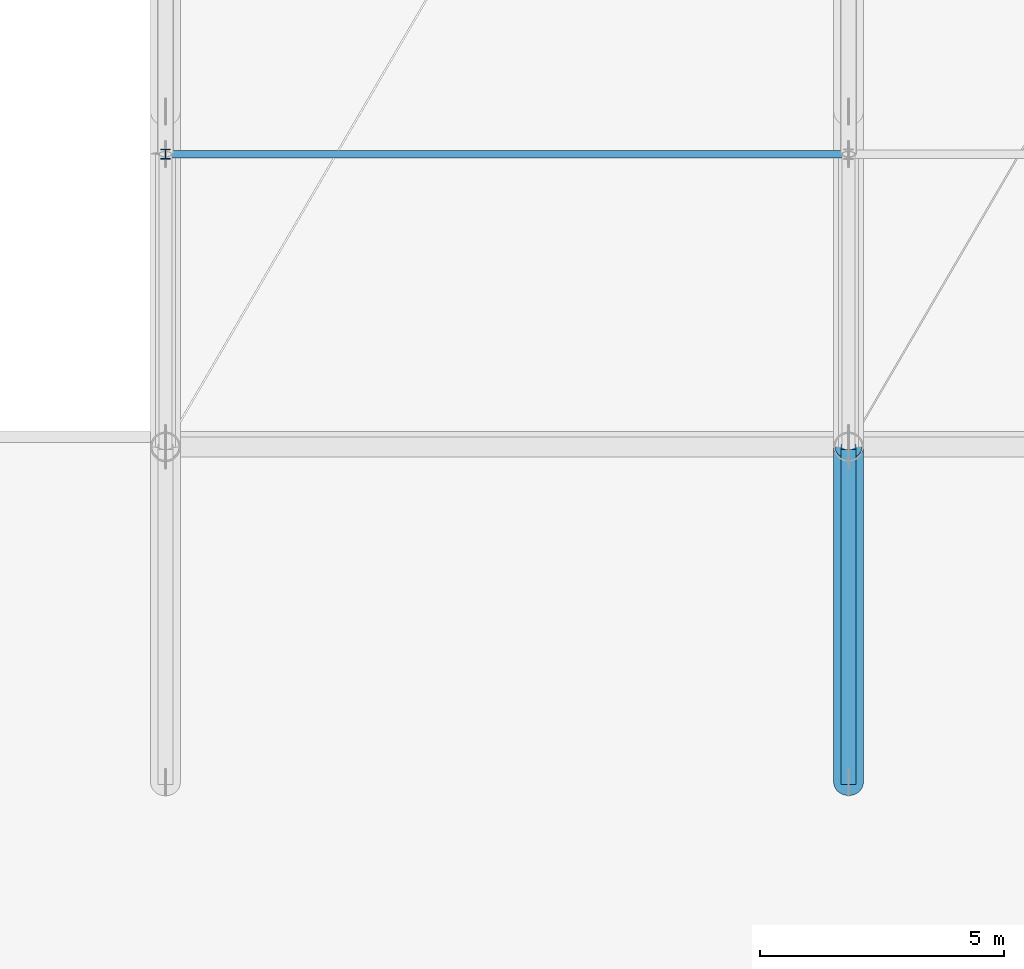
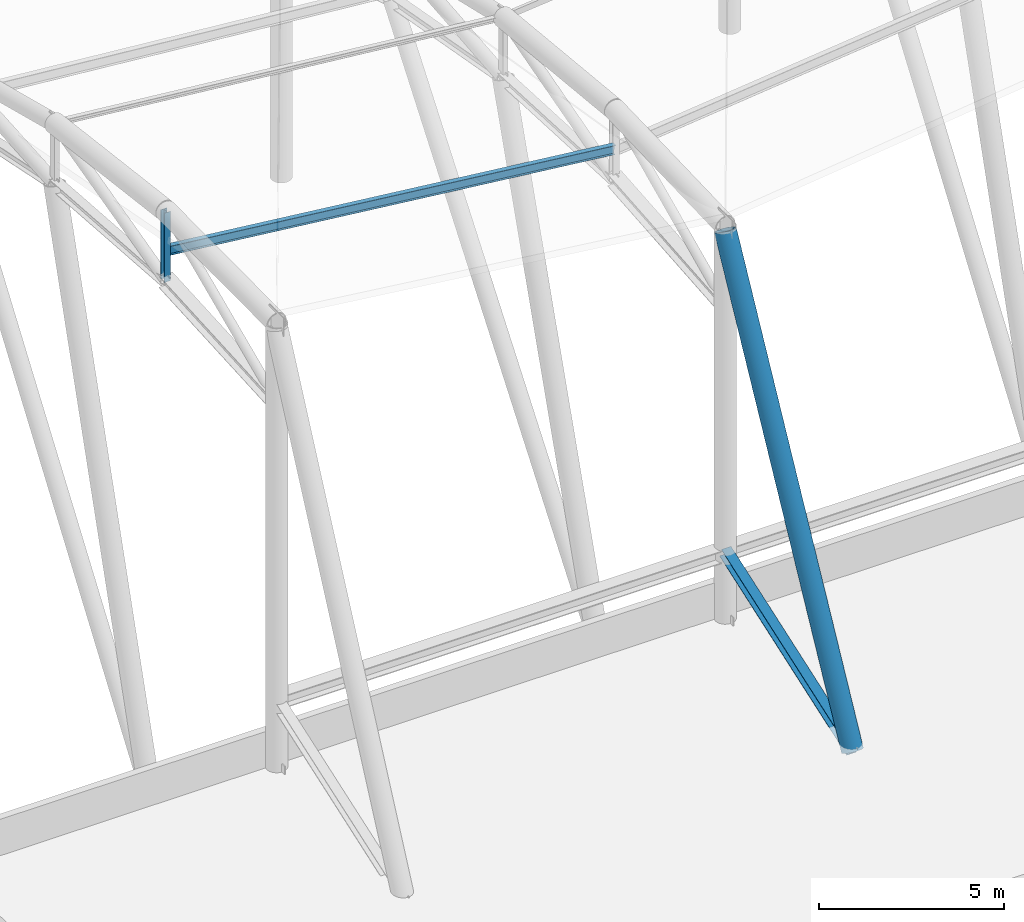
# One storey, part 17 of 90: 4 members.
"""IFC4 building model written with IfcOpenShell, lengths in metres."""

from ifc_helpers import new_model, si_unit, direction, frame, origin, origin_2d, place, context, subcontext, project, spatial, hollow_circle, i_section, extrude, material, material_profile, profile_set, type_object, element, save


model = new_model("IFC4")

# Units and contexts
model_context = context("Model", 3, precision=1e-05, world=origin(), true_north=direction((0.0, 1.0)))
body_context = subcontext(model_context, "Body", "Model", "MODEL_VIEW")
ifc_project = project(units=[si_unit("LENGTHUNIT", "METRE"), si_unit("AREAUNIT", "SQUARE_METRE"), si_unit("VOLUMEUNIT", "CUBIC_METRE"), si_unit("PLANEANGLEUNIT", "RADIAN"), si_unit("MASSUNIT", "GRAM", prefix="KILO")], contexts=[model_context])

# Site, building, storey
site_placement = place(None, origin())
site = spatial("IfcSite", under=ifc_project, at=site_placement, CompositionType="ELEMENT")
building_placement = place(site_placement, origin())
building = spatial("IfcBuilding", under=site, at=building_placement, Name="Linyun Crest Stadium", CompositionType="ELEMENT")
storey_placement = place(building_placement, frame((0.0, 0.0, 21.0)))
storey = spatial("IfcBuildingStorey", under=building, at=storey_placement, Name="L05", CompositionType="ELEMENT", Elevation=21.0)

# Members
ifc_material_1 = material(Name="Steel Q355B", Category="steel")
ifc_material_profile_1 = material_profile(ifc_material_1, i_section(OverallWidth=0.14990234375, OverallDepth=0.300048828125, WebThickness=0.007080078125, FlangeThickness=0.009033203125, at=origin_2d()), Name="HN 300x150")
ifc_profile_set_1 = profile_set([ifc_material_profile_1], Name="Steel Q355B")
member_type_1 = type_object("IfcMemberType", Name="PR01", PredefinedType="PURLIN", material=ifc_profile_set_1)
member_1_placement = place(storey_placement, frame((-28.0, -67.5, 13.389892578125), z_axis=(0.993928464313, 0.0, -0.110028213788), x_axis=(0.0, 1.0, 0.0)))
element("IfcMember", 1, at=member_1_placement, inside=storey, type_object=member_type_1, Name="Roof canopy purlin PR01 V4 567", PredefinedType="PURLIN", context=body_context, shape_type="SweptSolid", body=[
    extrude(i_section(OverallWidth=0.14990234375, OverallDepth=0.300048828125, WebThickness=0.007080078125, FlangeThickness=0.009033203125, at=origin_2d()), origin(), (0.0, 0.0, 1.0), 14.08544921875),
])
ifc_material_2 = material(Name="Steel Q420C", Category="steel")
ifc_material_profile_2 = material_profile(ifc_material_2, hollow_circle(Radius=0.304931640625, WallThickness=0.030029296875, at=origin_2d()), Name="CHS 610x30")
ifc_profile_set_2 = profile_set([ifc_material_profile_2], Name="Steel Q420C")
member_type_2 = type_object("IfcMemberType", Name="TC02", PredefinedType="CHORD", material=ifc_profile_set_2)
member_2_placement = place(storey_placement, frame((-14.0, -73.5, 12.800048828125), z_axis=(0.0, -0.467353097939, -0.88407074482), x_axis=(1.0, 0.0, 0.0)))
element("IfcMember", 2, at=member_2_placement, inside=storey, type_object=member_type_2, Name="Roof truss back-stay chord TC02 V4 491", PredefinedType="CHORD", context=body_context, shape_type="SweptSolid", body=[
    extrude(hollow_circle(Radius=0.304931640625, WallThickness=0.030029296875, at=origin_2d()), origin(), (0.0, 0.0, 1.0), 14.71044921875),
])
ifc_material_3 = material(Name="Steel Q355C", Category="steel")
ifc_material_profile_3 = material_profile(ifc_material_3, i_section(OverallWidth=0.300048828125, OverallDepth=0.300048828125, WebThickness=0.010009765625, FlangeThickness=0.014892578125, at=origin_2d()), Name="HW 300x300")
ifc_profile_set_3 = profile_set([ifc_material_profile_3], Name="Steel Q355C")
member_type_3 = type_object("IfcMemberType", Name="TC03", PredefinedType="CHORD", material=ifc_profile_set_3)
member_3_placement = place(storey_placement, frame((-14.0, -73.5, 2.195068359375), z_axis=(0.0, -0.944119407073, -0.329603618286), x_axis=(1.0, 0.0, 0.0)))
element("IfcMember", 3, at=member_3_placement, inside=storey, type_object=member_type_3, Name="Roof truss lower back-span chord TC03 V4 492", PredefinedType="CHORD", context=body_context, shape_type="SweptSolid", body=[
    extrude(i_section(OverallWidth=0.300048828125, OverallDepth=0.300048828125, WebThickness=0.010009765625, FlangeThickness=0.014892578125, at=origin_2d()), origin(), (0.0, 0.0, 1.0), 7.281982421875),
])
ifc_material_4 = material(Name="Steel Q355C", Category="steel")
ifc_material_profile_4 = material_profile(ifc_material_4, i_section(OverallWidth=0.199951171875, OverallDepth=0.199951171875, WebThickness=0.008056640625, FlangeThickness=0.011962890625, at=origin_2d()), Name="HW 200x200")
ifc_profile_set_4 = profile_set([ifc_material_profile_4], Name="Steel Q355C")
member_type_4 = type_object("IfcMemberType", Name="TV02", PredefinedType="STRUT", material=ifc_profile_set_4)
member_4_placement = place(storey_placement, frame((-28.0, -67.5, 12.4130859375), z_axis=(0.0, 0.0, 1.0), x_axis=(1.0, 0.0, 0.0)))
element("IfcMember", 4, at=member_4_placement, inside=storey, type_object=member_type_4, Name="Roof vertical strut TV02 V4 480", PredefinedType="STRUT", context=body_context, shape_type="SweptSolid", body=[
    extrude(i_section(OverallWidth=0.199951171875, OverallDepth=0.199951171875, WebThickness=0.008056640625, FlangeThickness=0.011962890625, at=origin_2d()), origin(), (0.0, 0.0, 1.0), 2.287841796875),
])

save(model, "model.ifc")
